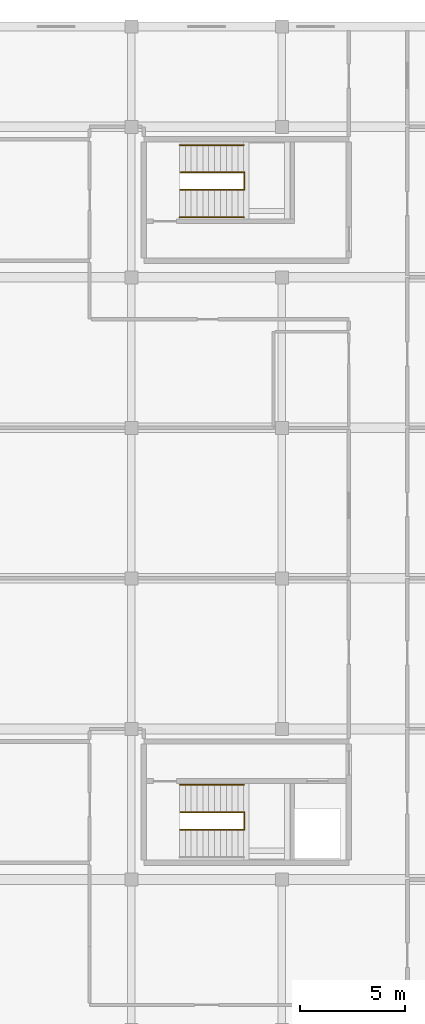
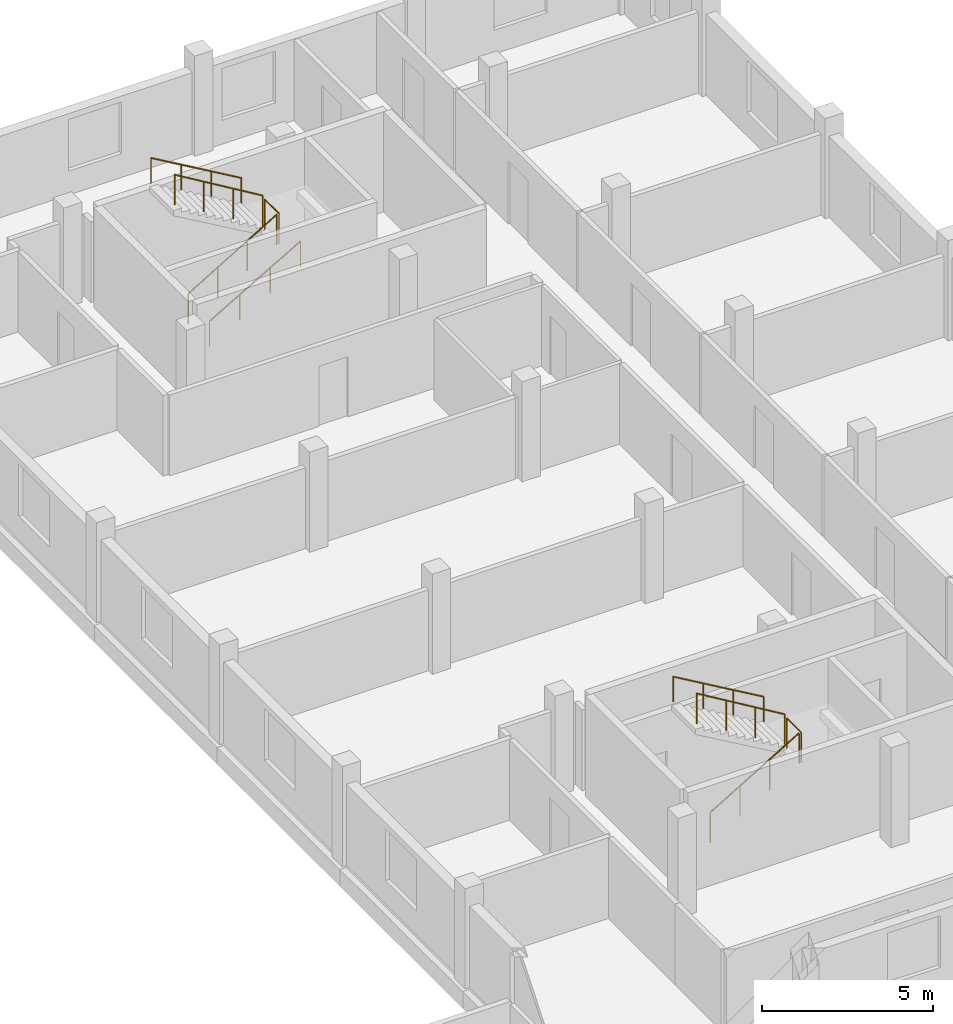
# One storey, part 93 of 93: 9 railings.
"""IFC4 building model written with IfcOpenShell, lengths in metres."""

from ifc_helpers import new_model, si_unit, direction, frame, origin, origin_2d, place, context, subcontext, project, spatial, circle, extrude, material, type_object, element, save


model = new_model("IFC4")

# Units and contexts
model_context = context("Model", 3, precision=1e-05, world=origin(), true_north=direction((0.0, 1.0)))
body_context = subcontext(model_context, "Body", "Model", "MODEL_VIEW")
ifc_project = project(units=[si_unit("LENGTHUNIT", "METRE"), si_unit("AREAUNIT", "SQUARE_METRE"), si_unit("VOLUMEUNIT", "CUBIC_METRE"), si_unit("PLANEANGLEUNIT", "RADIAN"), si_unit("MASSUNIT", "GRAM", prefix="KILO")], contexts=[model_context])

# Site, building, storey
site_placement = place(None, origin())
site = spatial("IfcSite", under=ifc_project, at=site_placement, CompositionType="ELEMENT")
building_placement = place(site_placement, origin())
building = spatial("IfcBuilding", under=site, at=building_placement, Name="Zornivar Specialist Clinic", CompositionType="ELEMENT")
storey_placement = place(building_placement, frame((0.0, 0.0, 8.39990234375)))
storey = spatial("IfcBuildingStorey", under=building, at=storey_placement, Name="L02", CompositionType="ELEMENT", Elevation=8.39990234375)

# Railings
ifc_material_1 = material(Name="Brushed Stainless Steel Stair Guardrail", Category="steel")
railing_type_1 = type_object("IfcRailingType", Name="GRD-INT-STAIR-1100", PredefinedType="GUARDRAIL", material=ifc_material_1)
railing_1_placement = place(storey_placement, frame((146.340087890625, 74.3798828125, 0.162109375)))
element("IfcRailing", 1, at=railing_1_placement, inside=storey, type_object=railing_type_1, Name="stair:C9:L02:grd1", PredefinedType="GUARDRAIL", context=body_context, shape_type="SweptSolid", body=[
    extrude(circle(Radius=0.02392578125, at=origin_2d()), frame((0.0, 0.0, 1.076171875), z_axis=(0.858994273335, 0.0, 0.511985193514), x_axis=(0.0, 1.0, 0.0)), (0.0, 0.0, 1.0), 3.492431640625),
    extrude(circle(Radius=0.02099609375, at=origin_2d()), origin(), (0.0, 0.0, 1.0), 1.052001953125),
    extrude(circle(Radius=0.02099609375, at=origin_2d()), frame((1.0, 0.0, 0.595947265625)), (0.0, 0.0, 1.0), 1.052001953125),
    extrude(circle(Radius=0.02099609375, at=origin_2d()), frame((2.0, 0.0, 1.192138671875)), (0.0, 0.0, 1.0), 1.052001953125),
    extrude(circle(Radius=0.02099609375, at=origin_2d()), frame((3.0, 0.0, 1.7880859375)), (0.0, 0.0, 1.0), 1.052001953125),
])
railing_2_placement = place(storey_placement, frame((149.340087890625, 75.219970703125, 2.112060546875)))
element("IfcRailing", 2, at=railing_2_placement, inside=storey, type_object=railing_type_1, Name="stair:C9:L02:grd2", PredefinedType="GUARDRAIL", context=body_context, shape_type="SweptSolid", body=[
    extrude(circle(Radius=0.02392578125, at=origin_2d()), frame((0.0, 0.0, 1.076171875), z_axis=(-0.857480528274, 0.0, 0.51451641726), x_axis=(0.0, -1.0, 0.0)), (0.0, 0.0, 1.0), 3.475341796875),
    extrude(circle(Radius=0.02099609375, at=origin_2d()), origin(), (0.0, 0.0, 1.0), 1.052001953125),
    extrude(circle(Radius=0.02099609375, at=origin_2d()), frame((-0.993408203125, 0.0, 0.595947265625)), (0.0, 0.0, 1.0), 1.052001953125),
    extrude(circle(Radius=0.02099609375, at=origin_2d()), frame((-1.986572265625, 0.0, 1.192138671875)), (0.0, 0.0, 1.0), 1.052001953125),
    extrude(circle(Radius=0.02099609375, at=origin_2d()), frame((-2.97998046875, 0.0, 1.7880859375)), (0.0, 0.0, 1.0), 1.052001953125),
])
railing_3_placement = place(storey_placement, frame((149.409912109375, 74.3798828125, 1.9501953125)))
element("IfcRailing", 3, at=railing_3_placement, inside=storey, type_object=railing_type_1, Name="stair:C9:L02:grdl", PredefinedType="GUARDRAIL", context=body_context, shape_type="SweptSolid", body=[
    extrude(circle(Radius=0.02392578125, at=origin_2d()), frame((0.0, 0.0, 1.076171875), z_axis=(0.0, 1.0, 0.0), x_axis=(-1.0, 0.0, 0.0)), (0.0, 0.0, 1.0), 0.840087890625),
    extrude(circle(Radius=0.02099609375, at=origin_2d()), origin(), (0.0, 0.0, 1.0), 1.052001953125),
    extrude(circle(Radius=0.02099609375, at=origin_2d()), frame((0.0, 0.840087890625, 0.0)), (0.0, 0.0, 1.0), 1.052001953125),
])
railing_4_placement = place(storey_placement, frame((146.340087890625, 104.97998046875, 0.162109375)))
element("IfcRailing", 4, at=railing_4_placement, inside=storey, type_object=railing_type_1, Name="stair:C10:L02:grd1", PredefinedType="GUARDRAIL", context=body_context, shape_type="SweptSolid", body=[
    extrude(circle(Radius=0.02392578125, at=origin_2d()), frame((0.0, 0.0, 1.076171875), z_axis=(0.858994273335, 0.0, 0.511985193514), x_axis=(0.0, 1.0, 0.0)), (0.0, 0.0, 1.0), 3.492431640625),
    extrude(circle(Radius=0.02099609375, at=origin_2d()), origin(), (0.0, 0.0, 1.0), 1.052001953125),
    extrude(circle(Radius=0.02099609375, at=origin_2d()), frame((1.0, 0.0, 0.595947265625)), (0.0, 0.0, 1.0), 1.052001953125),
    extrude(circle(Radius=0.02099609375, at=origin_2d()), frame((2.0, 0.0, 1.192138671875)), (0.0, 0.0, 1.0), 1.052001953125),
    extrude(circle(Radius=0.02099609375, at=origin_2d()), frame((3.0, 0.0, 1.7880859375)), (0.0, 0.0, 1.0), 1.052001953125),
])
railing_5_placement = place(storey_placement, frame((149.340087890625, 105.820068359375, 2.112060546875)))
element("IfcRailing", 5, at=railing_5_placement, inside=storey, type_object=railing_type_1, Name="stair:C10:L02:grd2", PredefinedType="GUARDRAIL", context=body_context, shape_type="SweptSolid", body=[
    extrude(circle(Radius=0.02392578125, at=origin_2d()), frame((0.0, 0.0, 1.076171875), z_axis=(-0.857480528274, 0.0, 0.51451641726), x_axis=(0.0, -1.0, 0.0)), (0.0, 0.0, 1.0), 3.475341796875),
    extrude(circle(Radius=0.02099609375, at=origin_2d()), origin(), (0.0, 0.0, 1.0), 1.052001953125),
    extrude(circle(Radius=0.02099609375, at=origin_2d()), frame((-0.993408203125, 0.0, 0.595947265625)), (0.0, 0.0, 1.0), 1.052001953125),
    extrude(circle(Radius=0.02099609375, at=origin_2d()), frame((-1.986572265625, 0.0, 1.192138671875)), (0.0, 0.0, 1.0), 1.052001953125),
    extrude(circle(Radius=0.02099609375, at=origin_2d()), frame((-2.97998046875, 0.0, 1.7880859375)), (0.0, 0.0, 1.0), 1.052001953125),
])
railing_6_placement = place(storey_placement, frame((149.409912109375, 104.97998046875, 1.9501953125)))
element("IfcRailing", 6, at=railing_6_placement, inside=storey, type_object=railing_type_1, Name="stair:C10:L02:grdl", PredefinedType="GUARDRAIL", context=body_context, shape_type="SweptSolid", body=[
    extrude(circle(Radius=0.02392578125, at=origin_2d()), frame((0.0, 0.0, 1.076171875), z_axis=(0.0, 1.0, 0.0), x_axis=(-1.0, 0.0, 0.0)), (0.0, 0.0, 1.0), 0.840087890625),
    extrude(circle(Radius=0.02099609375, at=origin_2d()), origin(), (0.0, 0.0, 1.0), 1.052001953125),
    extrude(circle(Radius=0.02099609375, at=origin_2d()), frame((0.0, 0.840087890625, 0.0)), (0.0, 0.0, 1.0), 1.052001953125),
])
ifc_material_2 = material(Name="Brushed Stainless Steel Continuous Handrail", Category="steel")
railing_type_2 = type_object("IfcRailingType", Name="HRL-STAIR-0920", PredefinedType="HANDRAIL", material=ifc_material_2)
railing_7_placement = place(storey_placement, frame((149.3798828125, 76.530029296875, 2.112060546875)))
element("IfcRailing", 7, at=railing_7_placement, inside=storey, type_object=railing_type_2, Name="stair:C9:L02:hr2", PredefinedType="HANDRAIL", context=body_context, shape_type="SweptSolid", body=[
    extrude(circle(Radius=0.02392578125, at=origin_2d()), frame((0.0, 0.0, 0.89599609375), z_axis=(-0.863386364223, 0.0, 0.504543344097), x_axis=(0.0, -1.0, 0.0)), (0.0, 0.0, 1.0), 3.5439453125),
    extrude(circle(Radius=0.02099609375, at=origin_2d()), origin(), (0.0, 0.0, 1.0), 0.871826171875),
    extrude(circle(Radius=0.02099609375, at=origin_2d()), frame((-1.02001953125, 0.0, 0.595947265625)), (0.0, 0.0, 1.0), 0.871826171875),
    extrude(circle(Radius=0.02099609375, at=origin_2d()), frame((-2.039794921875, 0.0, 1.192138671875)), (0.0, 0.0, 1.0), 0.871826171875),
    extrude(circle(Radius=0.02099609375, at=origin_2d()), frame((-3.059814453125, 0.0, 1.7880859375)), (0.0, 0.0, 1.0), 0.871826171875),
])
railing_8_placement = place(storey_placement, frame((146.300048828125, 103.669921875, 0.162109375)))
element("IfcRailing", 8, at=railing_8_placement, inside=storey, type_object=railing_type_2, Name="stair:C10:L02:hr1", PredefinedType="HANDRAIL", context=body_context, shape_type="SweptSolid", body=[
    extrude(circle(Radius=0.02392578125, at=origin_2d()), frame((0.0, 0.0, 0.89599609375), z_axis=(0.864813913218, 0.0, 0.502092516877), x_axis=(0.0, 1.0, 0.0)), (0.0, 0.0, 1.0), 3.561279296875),
    extrude(circle(Radius=0.02099609375, at=origin_2d()), origin(), (0.0, 0.0, 1.0), 0.871826171875),
    extrude(circle(Radius=0.02099609375, at=origin_2d()), frame((1.026611328125, 0.0, 0.595947265625)), (0.0, 0.0, 1.0), 0.871826171875),
    extrude(circle(Radius=0.02099609375, at=origin_2d()), frame((2.05322265625, 0.0, 1.192138671875)), (0.0, 0.0, 1.0), 0.871826171875),
    extrude(circle(Radius=0.02099609375, at=origin_2d()), frame((3.079833984375, 0.0, 1.7880859375)), (0.0, 0.0, 1.0), 0.871826171875),
])
railing_9_placement = place(storey_placement, frame((149.3798828125, 107.1298828125, 2.112060546875)))
element("IfcRailing", 9, at=railing_9_placement, inside=storey, type_object=railing_type_2, Name="stair:C10:L02:hr2", PredefinedType="HANDRAIL", context=body_context, shape_type="SweptSolid", body=[
    extrude(circle(Radius=0.02392578125, at=origin_2d()), frame((0.0, 0.0, 0.89599609375), z_axis=(-0.863386364223, 0.0, 0.504543344097), x_axis=(0.0, -1.0, 0.0)), (0.0, 0.0, 1.0), 3.5439453125),
    extrude(circle(Radius=0.02099609375, at=origin_2d()), origin(), (0.0, 0.0, 1.0), 0.871826171875),
    extrude(circle(Radius=0.02099609375, at=origin_2d()), frame((-1.02001953125, 0.0, 0.595947265625)), (0.0, 0.0, 1.0), 0.871826171875),
    extrude(circle(Radius=0.02099609375, at=origin_2d()), frame((-2.039794921875, 0.0, 1.192138671875)), (0.0, 0.0, 1.0), 0.871826171875),
    extrude(circle(Radius=0.02099609375, at=origin_2d()), frame((-3.059814453125, 0.0, 1.7880859375)), (0.0, 0.0, 1.0), 0.871826171875),
])

save(model, "model.ifc")
